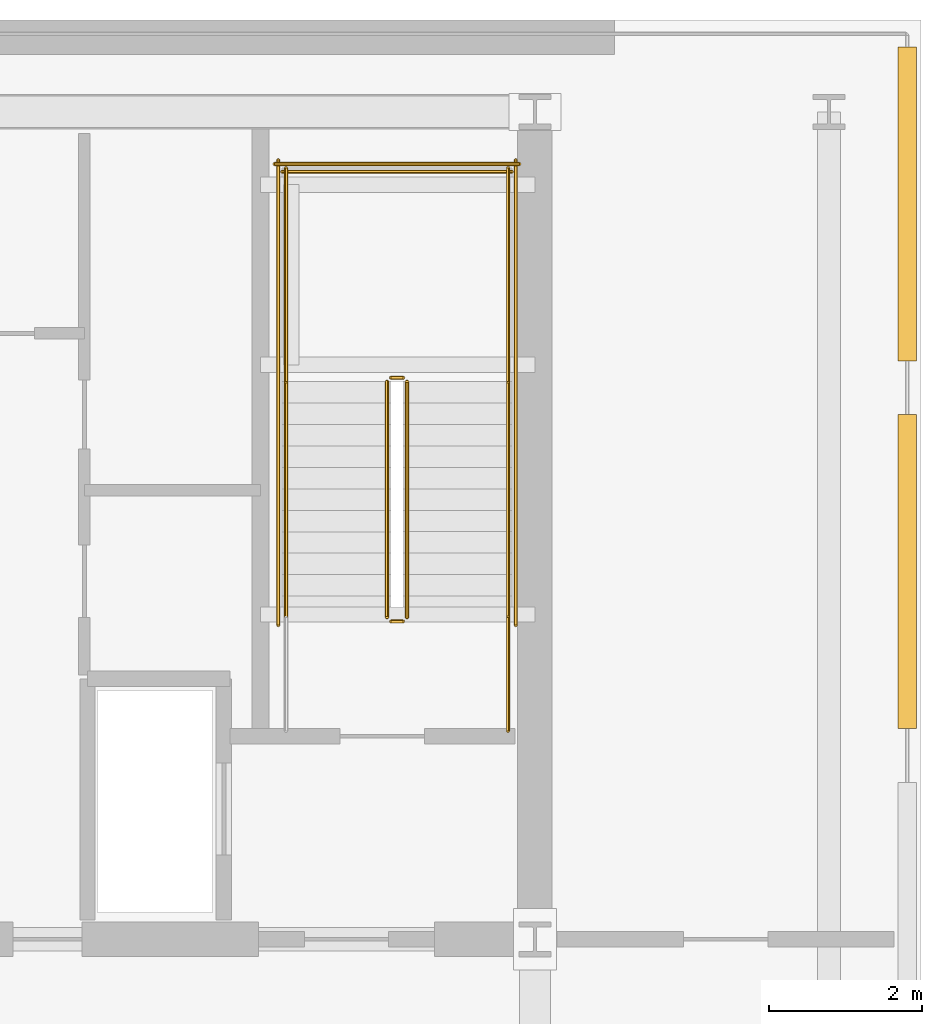
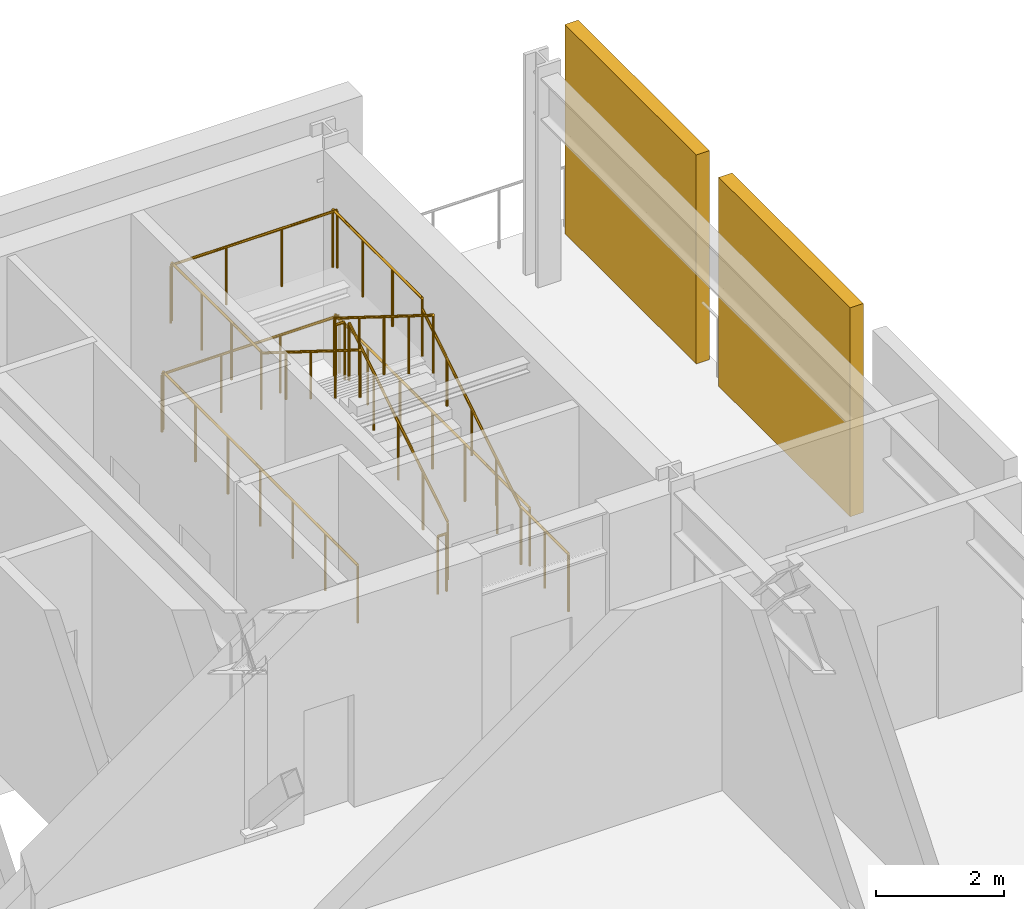
# One storey, part 8 of 8: 13 railings, 2 shading devices.
"""IFC4 building model written with IfcOpenShell, lengths in metres."""

from ifc_helpers import new_model, si_unit, direction, frame, origin, origin_2d, place, context, subcontext, project, spatial, rectangle, circle, extrude, material, layer, layer_set, type_object, element, save


model = new_model("IFC4")

# Units and contexts
model_context = context("Model", 3, precision=1e-05, world=origin(), true_north=direction((0.0, 1.0)))
body_context = subcontext(model_context, "Body", "Model", "MODEL_VIEW")
ifc_project = project(units=[si_unit("LENGTHUNIT", "METRE"), si_unit("AREAUNIT", "SQUARE_METRE"), si_unit("VOLUMEUNIT", "CUBIC_METRE"), si_unit("PLANEANGLEUNIT", "RADIAN"), si_unit("MASSUNIT", "GRAM", prefix="KILO")], contexts=[model_context])

# Site, building, storey
site_placement = place(None, origin())
site = spatial("IfcSite", under=ifc_project, at=site_placement, CompositionType="ELEMENT")
building_placement = place(site_placement, origin())
building = spatial("IfcBuilding", under=site, at=building_placement, Name="Yelkora Congress Tower", CompositionType="ELEMENT")
storey_placement = place(building_placement, frame((0.0, 0.0, 191.89990234375)))
storey = spatial("IfcBuildingStorey", under=building, at=storey_placement, Name="L53", CompositionType="ELEMENT", Elevation=191.89990234375)

# Railings
ifc_material_1 = material(Name="Painted galvanised steel stair well guard with vertical infill", Category="steel")
ifc_layer_1 = layer(ifc_material_1, 0.06005859375)
ifc_layer_set_1 = layer_set([ifc_layer_1], Name="Painted galvanised steel stair well guard with vertical infill")
railing_type_1 = type_object("IfcRailingType", Name="RAIL-STAIR-GUARD-1120", PredefinedType="GUARDRAIL", material=ifc_layer_set_1)
railing_1_placement = place(storey_placement, frame((52.090087890625, 39.60009765625, 0.175048828125)))
element("IfcRailing", 1, at=railing_1_placement, inside=storey, type_object=railing_type_1, Name="ST-02 L53 Stair Well Guardrail 1", PredefinedType="GUARDRAIL", context=body_context, shape_type="SweptSolid", body=[
    extrude(circle(Radius=0.02392578125, at=origin_2d()), frame((0.0, 0.0, 1.09619140625), z_axis=(0.0, 0.847979421464, 0.530029150871), x_axis=(-1.0, 0.0, 0.0)), (0.0, 0.0, 1.0), 3.632080078125),
    extrude(circle(Radius=0.02099609375, at=origin_2d()), origin(), (0.0, 0.0, 1.0), 1.072021484375),
    extrude(circle(Radius=0.02099609375, at=origin_2d()), frame((0.0, 0.77001953125, 0.481201171875)), (0.0, 0.0, 1.0), 1.072021484375),
    extrude(circle(Radius=0.02099609375, at=origin_2d()), frame((0.0, 1.5400390625, 0.96240234375)), (0.0, 0.0, 1.0), 1.072021484375),
    extrude(circle(Radius=0.02099609375, at=origin_2d()), frame((0.0, 2.309814453125, 1.44384765625)), (0.0, 0.0, 1.0), 1.072021484375),
    extrude(circle(Radius=0.02099609375, at=origin_2d()), frame((0.0, 3.079833984375, 1.925048828125)), (0.0, 0.0, 1.0), 1.072021484375),
])
railing_2_placement = place(storey_placement, frame((52.0400390625, 42.72998046875, 2.10009765625)))
element("IfcRailing", 2, at=railing_2_placement, inside=storey, type_object=railing_type_1, Name="ST-02 L53 Stair Well Guardrail 2", PredefinedType="GUARDRAIL", context=body_context, shape_type="SweptSolid", body=[
    extrude(circle(Radius=0.02392578125, at=origin_2d()), frame((0.0, 0.0, 1.09619140625), z_axis=(-1.0, 0.0, 0.0), x_axis=(0.0, -1.0, 0.0)), (0.0, 0.0, 1.0), 0.16015625),
    extrude(circle(Radius=0.02099609375, at=origin_2d()), origin(), (0.0, 0.0, 1.0), 1.072021484375),
    extrude(circle(Radius=0.02099609375, at=origin_2d()), frame((-0.16015625, 0.0, 0.0)), (0.0, 0.0, 1.0), 1.072021484375),
])
for number, where, name in (
    (3, (53.409912109375, 42.679931640625, 2.10009765625), "ST-02 L53 Stair Well Guardrail 3"),
    (4, (50.510009765625, 42.679931640625, 2.10009765625), "ST-02 L53 Stair Well Guardrail 4"),
):
    element("IfcRailing", number, at=place(storey_placement, frame(where)), inside=storey, type_object=railing_type_1, Name=name, PredefinedType="GUARDRAIL", context=body_context, shape_type="SweptSolid", body=[
        extrude(circle(Radius=0.02392578125, at=origin_2d()), frame((0.0, 0.0, 1.09619140625), z_axis=(0.0, 1.0, 0.0), x_axis=(-1.0, 0.0, 0.0)), (0.0, 0.0, 1.0), 2.7900390625),
        extrude(circle(Radius=0.02099609375, at=origin_2d()), origin(), (0.0, 0.0, 1.0), 1.072021484375),
        extrude(circle(Radius=0.02099609375, at=origin_2d()), frame((0.0, 0.929931640625, 0.0)), (0.0, 0.0, 1.0), 1.072021484375),
        extrude(circle(Radius=0.02099609375, at=origin_2d()), frame((0.0, 1.860107421875, 0.0)), (0.0, 0.0, 1.0), 1.072021484375),
        extrude(circle(Radius=0.02099609375, at=origin_2d()), frame((0.0, 2.7900390625, 0.0)), (0.0, 0.0, 1.0), 1.072021484375),
    ])
railing_3_placement = place(storey_placement, frame((53.4599609375, 45.419921875, 2.10009765625)))
element("IfcRailing", 5, at=railing_3_placement, inside=storey, type_object=railing_type_1, Name="ST-02 L53 Stair Well Guardrail 5", PredefinedType="GUARDRAIL", context=body_context, shape_type="SweptSolid", body=[
    extrude(circle(Radius=0.02392578125, at=origin_2d()), frame((0.0, 0.0, 1.09619140625), z_axis=(-1.0, 0.0, 0.0), x_axis=(0.0, -1.0, 0.0)), (0.0, 0.0, 1.0), 3.0),
    extrude(circle(Radius=0.02099609375, at=origin_2d()), origin(), (0.0, 0.0, 1.0), 1.072021484375),
    extrude(circle(Radius=0.02099609375, at=origin_2d()), frame((-1.0, 0.0, 0.0)), (0.0, 0.0, 1.0), 1.072021484375),
    extrude(circle(Radius=0.02099609375, at=origin_2d()), frame((-2.0, 0.0, 0.0)), (0.0, 0.0, 1.0), 1.072021484375),
    extrude(circle(Radius=0.02099609375, at=origin_2d()), frame((-3.0, 0.0, 0.0)), (0.0, 0.0, 1.0), 1.072021484375),
])
railing_4_placement = place(storey_placement, frame((51.830078125, 42.679931640625, 2.275146484375)))
element("IfcRailing", 6, at=railing_4_placement, inside=storey, type_object=railing_type_1, Name="ST-02 L53 Stair Well Guardrail 6", PredefinedType="GUARDRAIL", context=body_context, shape_type="SweptSolid", body=[
    extrude(circle(Radius=0.02392578125, at=origin_2d()), frame((0.0, 0.0, 1.09619140625), z_axis=(0.0, -0.847979421464, 0.530029150871), x_axis=(1.0, 0.0, 0.0)), (0.0, 0.0, 1.0), 3.632080078125),
    extrude(circle(Radius=0.02099609375, at=origin_2d()), origin(), (0.0, 0.0, 1.0), 1.072021484375),
    extrude(circle(Radius=0.02099609375, at=origin_2d()), frame((0.0, -0.77001953125, 0.481201171875)), (0.0, 0.0, 1.0), 1.072021484375),
    extrude(circle(Radius=0.02099609375, at=origin_2d()), frame((0.0, -1.5400390625, 0.96240234375)), (0.0, 0.0, 1.0), 1.072021484375),
    extrude(circle(Radius=0.02099609375, at=origin_2d()), frame((0.0, -2.309814453125, 1.44384765625)), (0.0, 0.0, 1.0), 1.072021484375),
    extrude(circle(Radius=0.02099609375, at=origin_2d()), frame((0.0, -3.079833984375, 1.925048828125)), (0.0, 0.0, 1.0), 1.072021484375),
])
railing_5_placement = place(storey_placement, frame((52.0400390625, 39.550048828125, 0.0)))
element("IfcRailing", 7, at=railing_5_placement, inside=storey, type_object=railing_type_1, Name="ST-02 L53 Stair Well Guardrail 7", PredefinedType="GUARDRAIL", context=body_context, shape_type="SweptSolid", body=[
    extrude(circle(Radius=0.02392578125, at=origin_2d()), frame((0.0, 0.0, 1.09619140625), z_axis=(-1.0, 0.0, 0.0), x_axis=(0.0, -1.0, 0.0)), (0.0, 0.0, 1.0), 0.16015625),
    extrude(circle(Radius=0.02099609375, at=origin_2d()), origin(), (0.0, 0.0, 1.0), 1.072021484375),
    extrude(circle(Radius=0.02099609375, at=origin_2d()), frame((-0.16015625, 0.0, 0.0)), (0.0, 0.0, 1.0), 1.072021484375),
])
railing_6_placement = place(storey_placement, frame((53.409912109375, 38.1201171875, 0.0)))
element("IfcRailing", 8, at=railing_6_placement, inside=storey, type_object=railing_type_1, Name="ST-02 L53 Stair Well Guardrail 8", PredefinedType="GUARDRAIL", context=body_context, shape_type="SweptSolid", body=[
    extrude(circle(Radius=0.02392578125, at=origin_2d()), frame((0.0, 0.0, 1.09619140625), z_axis=(0.0, 1.0, 0.0), x_axis=(-1.0, 0.0, 0.0)), (0.0, 0.0, 1.0), 1.47998046875),
    extrude(circle(Radius=0.02099609375, at=origin_2d()), origin(), (0.0, 0.0, 1.0), 1.072021484375),
    extrude(circle(Radius=0.02099609375, at=origin_2d()), frame((0.0, 0.739990234375, 0.0)), (0.0, 0.0, 1.0), 1.072021484375),
    extrude(circle(Radius=0.02099609375, at=origin_2d()), frame((0.0, 1.47998046875, 0.0)), (0.0, 0.0, 1.0), 1.072021484375),
])
for number, where, name in (
    (9, (53.510009765625, 39.5, 0.0), "ST-02 L53 Stair Well Guardrail 10"),
    (10, (50.409912109375, 39.5, 0.0), "ST-02 L53 Stair Well Guardrail 11"),
):
    element("IfcRailing", number, at=place(storey_placement, frame(where)), inside=storey, type_object=railing_type_1, Name=name, PredefinedType="GUARDRAIL", context=body_context, shape_type="SweptSolid", body=[
        extrude(circle(Radius=0.02392578125, at=origin_2d()), frame((0.0, 0.0, 1.09619140625), z_axis=(0.0, 1.0, 0.0), x_axis=(-1.0, 0.0, 0.0)), (0.0, 0.0, 1.0), 6.070068359375),
        extrude(circle(Radius=0.02099609375, at=origin_2d()), origin(), (0.0, 0.0, 1.0), 1.072021484375),
        extrude(circle(Radius=0.02099609375, at=origin_2d()), frame((0.0, 1.01171875, 0.0)), (0.0, 0.0, 1.0), 1.072021484375),
        extrude(circle(Radius=0.02099609375, at=origin_2d()), frame((0.0, 2.0234375, 0.0)), (0.0, 0.0, 1.0), 1.072021484375),
        extrude(circle(Radius=0.02099609375, at=origin_2d()), frame((0.0, 3.03515625, 0.0)), (0.0, 0.0, 1.0), 1.072021484375),
        extrude(circle(Radius=0.02099609375, at=origin_2d()), frame((0.0, 4.046630859375, 0.0)), (0.0, 0.0, 1.0), 1.072021484375),
        extrude(circle(Radius=0.02099609375, at=origin_2d()), frame((0.0, 5.058349609375, 0.0)), (0.0, 0.0, 1.0), 1.072021484375),
        extrude(circle(Radius=0.02099609375, at=origin_2d()), frame((0.0, 6.070068359375, 0.0)), (0.0, 0.0, 1.0), 1.072021484375),
    ])
railing_7_placement = place(storey_placement, frame((53.56005859375, 45.52001953125, 0.0)))
element("IfcRailing", 11, at=railing_7_placement, inside=storey, type_object=railing_type_1, Name="ST-02 L53 Stair Well Guardrail 12", PredefinedType="GUARDRAIL", context=body_context, shape_type="SweptSolid", body=[
    extrude(circle(Radius=0.02392578125, at=origin_2d()), frame((0.0, 0.0, 1.09619140625), z_axis=(-1.0, 0.0, 0.0), x_axis=(0.0, -1.0, 0.0)), (0.0, 0.0, 1.0), 3.199951171875),
    extrude(circle(Radius=0.02099609375, at=origin_2d()), origin(), (0.0, 0.0, 1.0), 1.072021484375),
    extrude(circle(Radius=0.02099609375, at=origin_2d()), frame((-1.066650390625, 0.0, 0.0)), (0.0, 0.0, 1.0), 1.072021484375),
    extrude(circle(Radius=0.02099609375, at=origin_2d()), frame((-2.13330078125, 0.0, 0.0)), (0.0, 0.0, 1.0), 1.072021484375),
    extrude(circle(Radius=0.02099609375, at=origin_2d()), frame((-3.199951171875, 0.0, 0.0)), (0.0, 0.0, 1.0), 1.072021484375),
])
ifc_material_2 = material(Name="Brushed stainless steel tubular handrail", Category="steel")
ifc_layer_2 = layer(ifc_material_2, 0.050048828125)
ifc_layer_set_2 = layer_set([ifc_layer_2], Name="Brushed stainless steel tubular handrail")
railing_type_2 = type_object("IfcRailingType", Name="RAIL-STAIR-HAND-920", PredefinedType="HANDRAIL", material=ifc_layer_set_2)
railing_8_placement = place(storey_placement, frame((53.409912109375, 39.60009765625, 0.175048828125)))
element("IfcRailing", 12, at=railing_8_placement, inside=storey, type_object=railing_type_2, Name="ST-02 L53 Pitch Handrail 1", PredefinedType="HANDRAIL", context=body_context, shape_type="SweptSolid", body=[
    extrude(circle(Radius=0.02392578125, at=origin_2d()), frame((0.0, 0.0, 0.89599609375), z_axis=(0.0, 0.847979421464, 0.530029150871), x_axis=(-1.0, 0.0, 0.0)), (0.0, 0.0, 1.0), 3.632080078125),
    extrude(circle(Radius=0.02099609375, at=origin_2d()), origin(), (0.0, 0.0, 1.0), 0.871826171875),
    extrude(circle(Radius=0.02099609375, at=origin_2d()), frame((0.0, 0.77001953125, 0.481201171875)), (0.0, 0.0, 1.0), 0.871826171875),
    extrude(circle(Radius=0.02099609375, at=origin_2d()), frame((0.0, 1.5400390625, 0.96240234375)), (0.0, 0.0, 1.0), 0.871826171875),
    extrude(circle(Radius=0.02099609375, at=origin_2d()), frame((0.0, 2.309814453125, 1.44384765625)), (0.0, 0.0, 1.0), 0.871826171875),
    extrude(circle(Radius=0.02099609375, at=origin_2d()), frame((0.0, 3.079833984375, 1.925048828125)), (0.0, 0.0, 1.0), 0.871826171875),
])
railing_9_placement = place(storey_placement, frame((50.510009765625, 42.679931640625, 2.275146484375)))
element("IfcRailing", 13, at=railing_9_placement, inside=storey, type_object=railing_type_2, Name="ST-02 L53 Pitch Handrail 2", PredefinedType="HANDRAIL", context=body_context, shape_type="SweptSolid", body=[
    extrude(circle(Radius=0.02392578125, at=origin_2d()), frame((0.0, 0.0, 0.89599609375), z_axis=(0.0, -0.847979421464, 0.530029150871), x_axis=(1.0, 0.0, 0.0)), (0.0, 0.0, 1.0), 3.632080078125),
    extrude(circle(Radius=0.02099609375, at=origin_2d()), origin(), (0.0, 0.0, 1.0), 0.871826171875),
    extrude(circle(Radius=0.02099609375, at=origin_2d()), frame((0.0, -0.77001953125, 0.481201171875)), (0.0, 0.0, 1.0), 0.871826171875),
    extrude(circle(Radius=0.02099609375, at=origin_2d()), frame((0.0, -1.5400390625, 0.96240234375)), (0.0, 0.0, 1.0), 0.871826171875),
    extrude(circle(Radius=0.02099609375, at=origin_2d()), frame((0.0, -2.309814453125, 1.44384765625)), (0.0, 0.0, 1.0), 0.871826171875),
    extrude(circle(Radius=0.02099609375, at=origin_2d()), frame((0.0, -3.079833984375, 1.925048828125)), (0.0, 0.0, 1.0), 0.871826171875),
])

# Shading devices
ifc_material_3 = material(Name="Perforated anodised aluminium louvre", Category="aluminium")
ifc_layer_3 = layer(ifc_material_3, 3.39990234375)
ifc_layer_set_3 = layer_set([ifc_layer_3], Name="Perforated anodised aluminium louvre")
shading_device_type = type_object("IfcShadingDeviceType", Name="SHD-LOUVRE-WIND", PredefinedType="JALOUSIE", material=ifc_layer_set_3)
for number, where, z_axis, x_axis, name in (
    (14, (58.6201171875, 40.199951171875, 0.0), (0.0, 0.0, 1.0), (1.0, 0.0, 0.0), "L53 Acoustic Wind-Floor Louvre Screen E4"),
    (15, (58.6201171875, 45.0, 0.0), (0.0, 0.0, 1.0), (1.0, 0.0, 0.0), "L53 Acoustic Wind-Floor Louvre Screen E5"),
):
    element("IfcShadingDevice", number, at=place(storey_placement, frame(where, z_axis=z_axis, x_axis=x_axis)), inside=storey, type_object=shading_device_type, Name=name, PredefinedType="JALOUSIE", context=body_context, shape_type="SweptSolid", body=[
        extrude(rectangle(XDim=0.239990234375, YDim=4.10009765625, at=origin_2d()), origin(), (0.0, 0.0, 1.0), 3.97998046875),
    ])

save(model, "model.ifc")
